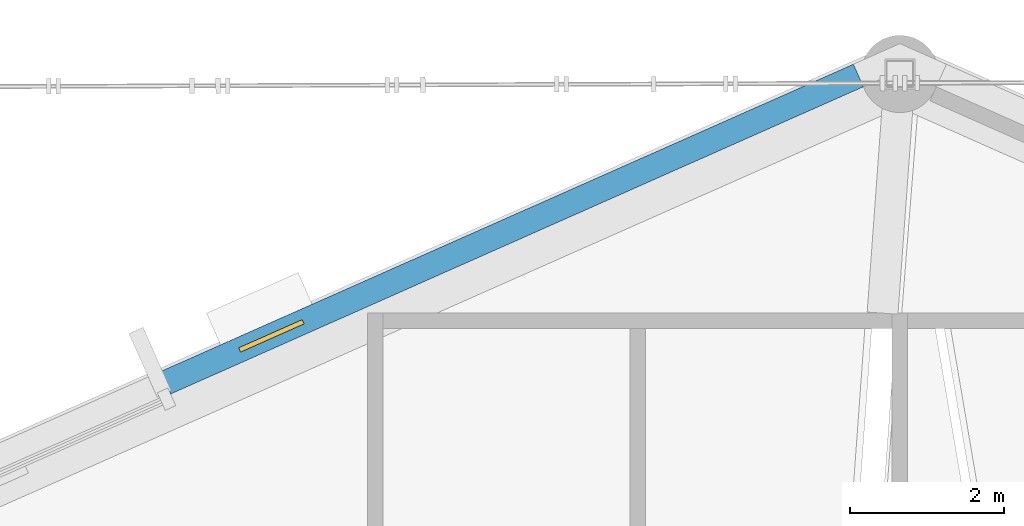
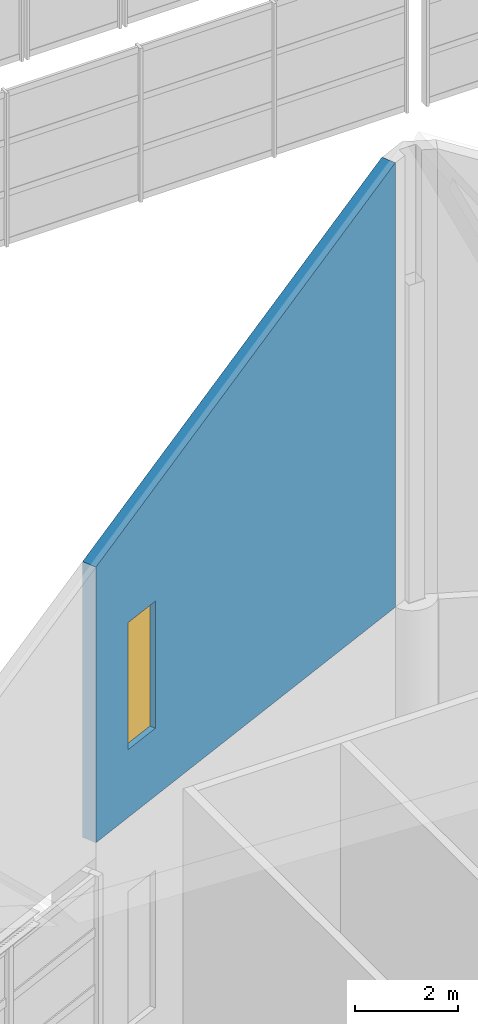
# One storey, part 268 of 344: 1 wall, 1 window, 1 opening.
"""IFC4 building model written with IfcOpenShell, lengths in metres."""

from ifc_helpers import new_model, si_unit, direction, frame, frame_2d, origin, place, context, subcontext, project, spatial, polyline, rectangle, outline, extrude, material, layer, layer_set, type_object, element, fill, save


model = new_model("IFC4")

# Units and contexts
model_context = context("Model", 3, precision=1e-05, world=origin(), true_north=direction((0.0, 1.0)))
body_context = subcontext(model_context, "Body", "Model", "MODEL_VIEW")
ifc_project = project(units=[si_unit("LENGTHUNIT", "METRE"), si_unit("AREAUNIT", "SQUARE_METRE"), si_unit("VOLUMEUNIT", "CUBIC_METRE"), si_unit("PLANEANGLEUNIT", "RADIAN"), si_unit("MASSUNIT", "GRAM", prefix="KILO")], contexts=[model_context])

# Site, building, storey
site_placement = place(None, origin())
site = spatial("IfcSite", under=ifc_project, at=site_placement, CompositionType="ELEMENT")
building_placement = place(site_placement, origin())
building = spatial("IfcBuilding", under=site, at=building_placement, Name="Meseta Stadium", CompositionType="ELEMENT")
storey_placement = place(building_placement, frame((0.0, 0.0, 24.0)))
storey = spatial("IfcBuildingStorey", under=building, at=storey_placement, Name="L04", CompositionType="ELEMENT", Elevation=24.0)

# Wall, opening, window
ifc_material_1 = material(Name="White precast concrete C40/50", Category="concrete")
ifc_layer = layer(ifc_material_1, 0.320068359375)
ifc_layer_set = layer_set([ifc_layer], Name="Pleated fascia panel 320 raked")
wall_type = type_object("IfcWallType", Name="Pleated fascia panel 320 raked", PredefinedType="SOLIDWALL", material=ifc_layer_set)
wall_placement = place(storey_placement, frame((-1.851806640625, 101.3974609375, 6.0), z_axis=(0.0, 0.0, 1.0), x_axis=(0.914133039962, 0.405414337745, 0.0)))
wall = element("IfcWall", 1, at=wall_placement, inside=storey, type_object=wall_type, Name="Pleated fascia panel L04 F18", PredefinedType="SOLIDWALL", context=body_context, shape_type="SweptSolid", body=[
    extrude(outline(polyline([(0.0, 0.0), (9.82421875, 0.0), (9.824462890625, 10.487548828125), (0.0, 6.504638671875), (0.0, 0.0)])), frame((0.0, 0.16015625, 0.0), z_axis=(0.0, -1.0, 0.0), x_axis=(1.0, 0.0, 0.0)), (0.0, 0.0, 1.0), 0.320068359375),
])
opening_placement = place(wall_placement, frame((1.05029296875, 0.0, 1.60009765625)))
opening = element("IfcOpeningElement", 2, at=opening_placement, cuts=wall, Name="Opening W255", PredefinedType="OPENING", context=body_context, shape_type="SweptSolid", body=[
    extrude(rectangle(XDim=0.89990234375, YDim=3.0, at=frame_2d((0.449951171875, 1.5))), frame((0.0, 0.169921875, 0.0), z_axis=(0.0, -1.0, 0.0), x_axis=(1.0, 0.0, 0.0)), (0.0, 0.0, 1.0), 0.340087890625),
])
ifc_material_2 = material(Name="Aluminium", Category="aluminium")
window_type = type_object("IfcWindowType", Name="Slot window 900x3000", PartitioningType="SINGLE_PANEL", PredefinedType="WINDOW", material=ifc_material_2)
window_placement = place(opening_placement, origin())
window = element("IfcWindow", 3, at=window_placement, inside=storey, type_object=window_type, Name="Slot window L04 F18.4", OverallHeight=3.0, OverallWidth=0.89990234375, PartitioningType="SINGLE_PANEL", PredefinedType="WINDOW", context=body_context, shape_type="SweptSolid", body=[
    extrude(rectangle(XDim=0.89990234375, YDim=3.0, at=frame_2d((0.449951171875, 1.5))), frame((0.0, 0.030029296875, 0.0), z_axis=(0.0, -1.0, 0.0), x_axis=(1.0, 0.0, 0.0)), (0.0, 0.0, 1.0), 0.06005859375),
])
fill(opening, window)

save(model, "model.ifc")
